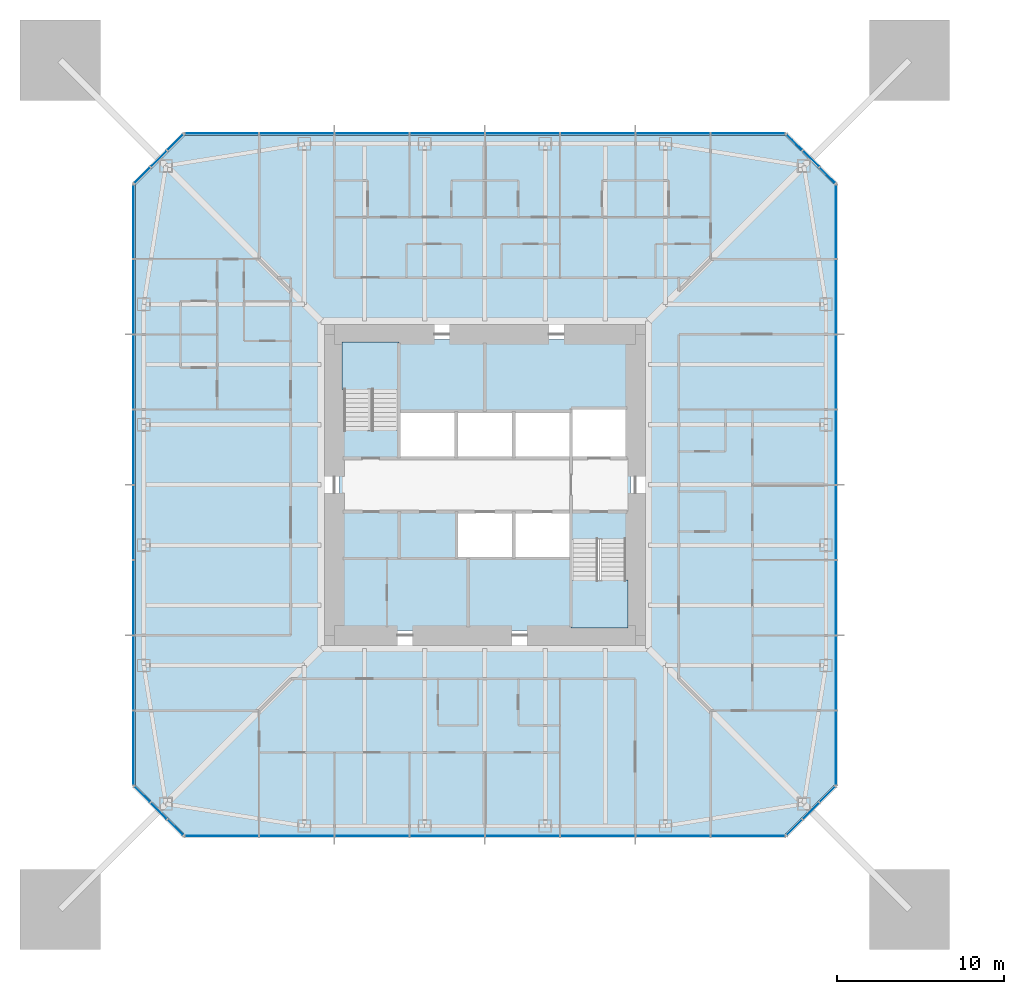
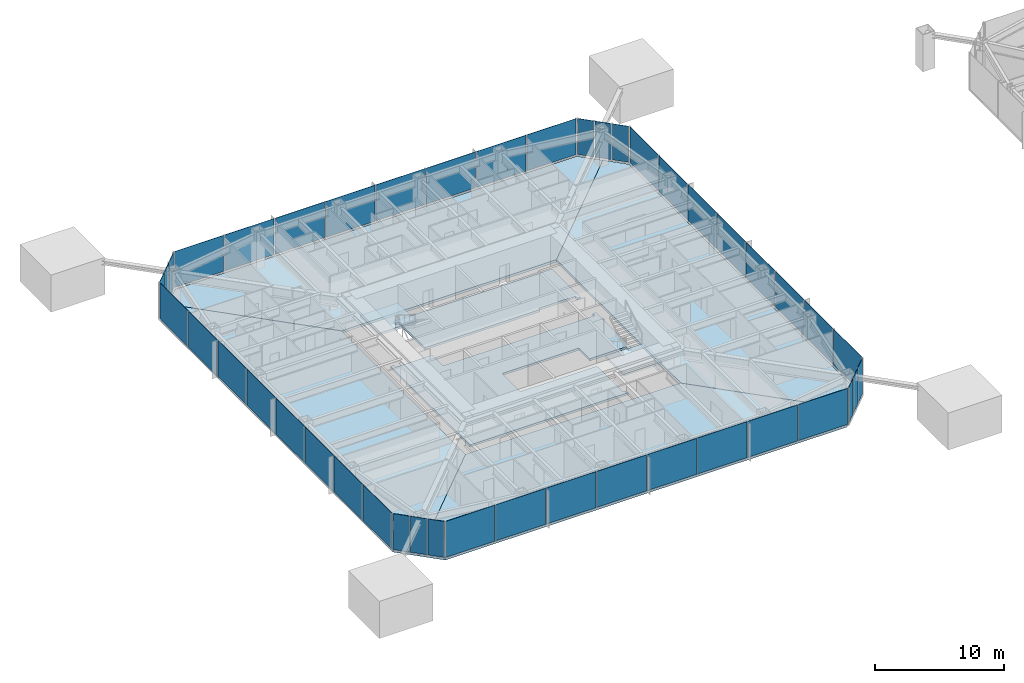
# One storey, part 11 of 25: 44 plates, 8 slabs, 10 elements without a shape of their own.
"""IFC4 building model written with IfcOpenShell, lengths in metres."""

from ifc_helpers import new_model, si_unit, direction, frame, origin, origin_2d, place, context, subcontext, project, spatial, polyline, rectangle, outline, extrude, material, layer, layer_set, constituent, constituent_set, type_object, element, aggregate, save


model = new_model("IFC4")

# Units and contexts
model_context = context("Model", 3, precision=1e-05, world=origin(), true_north=direction((0.0, 1.0)))
body_context = subcontext(model_context, "Body", "Model", "MODEL_VIEW")
ifc_project = project(units=[si_unit("LENGTHUNIT", "METRE"), si_unit("AREAUNIT", "SQUARE_METRE"), si_unit("VOLUMEUNIT", "CUBIC_METRE"), si_unit("PLANEANGLEUNIT", "RADIAN"), si_unit("MASSUNIT", "GRAM", prefix="KILO")], contexts=[model_context])

# Site, building, storey
site_placement = place(None, origin())
site = spatial("IfcSite", under=ifc_project, at=site_placement, CompositionType="ELEMENT")
building_placement = place(site_placement, origin())
building = spatial("IfcBuilding", under=site, at=building_placement, Name="Iwan Alto Co-Living Towers", CompositionType="ELEMENT")
storey_placement = place(building_placement, frame((0.0, 0.0, 119.0)))
storey = spatial("IfcBuildingStorey", under=building, at=storey_placement, Name="L32", CompositionType="ELEMENT", Elevation=119.0)

# Slabs
ifc_material_1 = material(Name="Concrete f'c 30 MPa", Category="concrete")
ifc_layer_1 = layer(ifc_material_1, 0.199951171875)
ifc_layer_set_1 = layer_set([ifc_layer_1], Name="CORE FLOOR SLAB 200")
slab_type_1 = type_object("IfcSlabType", Name="CORE FLOOR SLAB 200", PredefinedType="FLOOR", material=ifc_layer_set_1)
slab_1_placement = place(storey_placement, frame((0.0, 0.0, -0.199951171875)))
element("IfcSlab", 1, at=slab_1_placement, inside=storey, type_object=slab_type_1, Name="T1 core floor L32", PredefinedType="FLOOR", context=body_context, shape_type="SweptSolid", body=[
    extrude(outline(polyline([(5.14990234375, -1.60009765625), (1.72509765625, -1.60009765625), (-1.699951171875, -1.60009765625), (-1.699951171875, -4.39990234375), (1.72509765625, -4.39990234375), (5.14990234375, -4.39990234375), (5.14990234375, -8.39990234375), (5.4599609375, -8.39990234375), (5.4599609375, -8.699951171875), (-8.699951171875, -8.699951171875), (-8.699951171875, 3.580078125), (-8.39990234375, 3.580078125), (-8.39990234375, 3.27001953125), (-5.14990234375, 3.27001953125), (-5.14990234375, 1.60009765625), (-1.717041015625, 1.60009765625), (1.717041015625, 1.60009765625), (5.14990234375, 1.60009765625), (8.39990234375, 1.60009765625), (8.39990234375, 1.909912109375), (8.699951171875, 1.909912109375), (8.699951171875, -3.580078125), (8.39990234375, -3.580078125), (8.39990234375, -3.27001953125), (5.14990234375, -3.27001953125), (5.14990234375, -1.60009765625)])), origin(), (0.0, 0.0, 1.0), 0.199951171875),
])
slab_2_placement = place(storey_placement, frame((0.0, 0.0, -0.199951171875)))
element("IfcSlab", 2, at=slab_2_placement, inside=storey, type_object=slab_type_1, Name="T1 core floor L32", PredefinedType="FLOOR", context=body_context, shape_type="SweptSolid", body=[
    extrude(outline(polyline([(1.717041015625, 4.39990234375), (-1.717041015625, 4.39990234375), (-5.14990234375, 4.39990234375), (-5.14990234375, 8.39990234375), (-5.4599609375, 8.39990234375), (-5.4599609375, 8.699951171875), (8.699951171875, 8.699951171875), (8.699951171875, 4.2900390625), (8.39990234375, 4.2900390625), (8.39990234375, 4.60009765625), (5.14990234375, 4.60009765625), (5.14990234375, 4.39990234375), (1.717041015625, 4.39990234375)])), origin(), (0.0, 0.0, 1.0), 0.199951171875),
])

# Curtain wall, plates
ifc_material_2 = material(Name="Bronze aluminium unitised frame", Category="aluminium")
curtain_wall_type_1 = type_object("IfcCurtainWallType", Name="CURTAIN WALL CW-A", PredefinedType="NOTDEFINED", material=ifc_material_2)
curtain_wall_1_placement = place(storey_placement, origin())
curtain_wall_1 = element("IfcCurtainWall", 3, at=curtain_wall_1_placement, inside=storey, type_object=curtain_wall_type_1, Name="T1 curtain wall S L32", PredefinedType="NOTDEFINED")
ifc_material_3 = material(Name="Bronze-tinted insulating glass", Category="glass")
ifc_layer_2 = layer(ifc_material_3, 0.031982421875)
ifc_layer_set_2 = layer_set([ifc_layer_2], Name="CW-A PANEL TINTED IGU 32")
plate_type_1 = type_object("IfcPlateType", Name="CW-A PANEL TINTED IGU 32", PredefinedType="CURTAIN_PANEL", material=ifc_layer_set_2)
plate_1_placement = place(storey_placement, frame((-15.72998046875, -21.0, 0.10009765625), z_axis=(0.0, 0.0, 1.0), x_axis=(1.0, 0.0, 0.0)))
plate_1 = element("IfcPlate", 4, at=plate_1_placement, type_object=plate_type_1, Name="CW-A panel 1.1", PredefinedType="CURTAIN_PANEL", context=body_context, shape_type="SweptSolid", body=[
    extrude(rectangle(XDim=4.3798828125, YDim=0.031982421875, at=origin_2d()), origin(), (0.0, 0.0, 1.0), 3.39990234375),
])
plate_2_placement = place(storey_placement, frame((-11.25, -21.0, 0.10009765625), z_axis=(0.0, 0.0, 1.0), x_axis=(1.0, 0.0, 0.0)))
plate_2 = element("IfcPlate", 5, at=plate_2_placement, type_object=plate_type_1, Name="CW-A panel 2.1", PredefinedType="CURTAIN_PANEL", context=body_context, shape_type="SweptSolid", body=[
    extrude(rectangle(XDim=4.419921875, YDim=0.031982421875, at=origin_2d()), origin(), (0.0, 0.0, 1.0), 3.39990234375),
])
plate_3_placement = place(storey_placement, frame((-6.75, -21.0, 0.10009765625), z_axis=(0.0, 0.0, 1.0), x_axis=(1.0, 0.0, 0.0)))
plate_3 = element("IfcPlate", 6, at=plate_3_placement, type_object=plate_type_1, Name="CW-A panel 3.1", PredefinedType="CURTAIN_PANEL", context=body_context, shape_type="SweptSolid", body=[
    extrude(rectangle(XDim=4.419921875, YDim=0.031982421875, at=origin_2d()), origin(), (0.0, 0.0, 1.0), 3.39990234375),
])
plate_4_placement = place(storey_placement, frame((-2.25, -21.0, 0.10009765625), z_axis=(0.0, 0.0, 1.0), x_axis=(1.0, 0.0, 0.0)))
plate_4 = element("IfcPlate", 7, at=plate_4_placement, type_object=plate_type_1, Name="CW-A panel 4.1", PredefinedType="CURTAIN_PANEL", context=body_context, shape_type="SweptSolid", body=[
    extrude(rectangle(XDim=4.419921875, YDim=0.031982421875, at=origin_2d()), origin(), (0.0, 0.0, 1.0), 3.39990234375),
])
plate_5_placement = place(storey_placement, frame((2.25, -21.0, 0.10009765625), z_axis=(0.0, 0.0, 1.0), x_axis=(1.0, 0.0, 0.0)))
plate_5 = element("IfcPlate", 8, at=plate_5_placement, type_object=plate_type_1, Name="CW-A panel 5.1", PredefinedType="CURTAIN_PANEL", context=body_context, shape_type="SweptSolid", body=[
    extrude(rectangle(XDim=4.419921875, YDim=0.031982421875, at=origin_2d()), origin(), (0.0, 0.0, 1.0), 3.39990234375),
])
plate_6_placement = place(storey_placement, frame((6.75, -21.0, 0.10009765625), z_axis=(0.0, 0.0, 1.0), x_axis=(1.0, 0.0, 0.0)))
plate_6 = element("IfcPlate", 9, at=plate_6_placement, type_object=plate_type_1, Name="CW-A panel 6.1", PredefinedType="CURTAIN_PANEL", context=body_context, shape_type="SweptSolid", body=[
    extrude(rectangle(XDim=4.419921875, YDim=0.031982421875, at=origin_2d()), origin(), (0.0, 0.0, 1.0), 3.39990234375),
])
plate_7_placement = place(storey_placement, frame((11.25, -21.0, 0.10009765625), z_axis=(0.0, 0.0, 1.0), x_axis=(1.0, 0.0, 0.0)))
plate_7 = element("IfcPlate", 10, at=plate_7_placement, type_object=plate_type_1, Name="CW-A panel 7.1", PredefinedType="CURTAIN_PANEL", context=body_context, shape_type="SweptSolid", body=[
    extrude(rectangle(XDim=4.419921875, YDim=0.031982421875, at=origin_2d()), origin(), (0.0, 0.0, 1.0), 3.39990234375),
])
plate_8_placement = place(storey_placement, frame((15.72998046875, -21.0, 0.10009765625), z_axis=(0.0, 0.0, 1.0), x_axis=(1.0, 0.0, 0.0)))
plate_8 = element("IfcPlate", 11, at=plate_8_placement, type_object=plate_type_1, Name="CW-A panel 8.1", PredefinedType="CURTAIN_PANEL", context=body_context, shape_type="SweptSolid", body=[
    extrude(rectangle(XDim=4.3798828125, YDim=0.031982421875, at=origin_2d()), origin(), (0.0, 0.0, 1.0), 3.39990234375),
])
aggregate(curtain_wall_1, [plate_1, plate_2, plate_3, plate_4, plate_5, plate_6, plate_7, plate_8])

curtain_wall_2_placement = place(storey_placement, origin())
curtain_wall_2 = element("IfcCurtainWall", 12, at=curtain_wall_2_placement, inside=storey, type_object=curtain_wall_type_1, Name="T1 curtain wall E L32", PredefinedType="NOTDEFINED")
plate_9_placement = place(storey_placement, frame((21.0, -15.72998046875, 0.10009765625), z_axis=(0.0, 0.0, 1.0), x_axis=(0.0, 1.0, 0.0)))
plate_9 = element("IfcPlate", 13, at=plate_9_placement, type_object=plate_type_1, Name="CW-A panel 1.1", PredefinedType="CURTAIN_PANEL", context=body_context, shape_type="SweptSolid", body=[
    extrude(rectangle(XDim=4.3798828125, YDim=0.031982421875, at=origin_2d()), origin(), (0.0, 0.0, 1.0), 3.39990234375),
])
plate_10_placement = place(storey_placement, frame((21.0, -11.25, 0.10009765625), z_axis=(0.0, 0.0, 1.0), x_axis=(0.0, 1.0, 0.0)))
plate_10 = element("IfcPlate", 14, at=plate_10_placement, type_object=plate_type_1, Name="CW-A panel 2.1", PredefinedType="CURTAIN_PANEL", context=body_context, shape_type="SweptSolid", body=[
    extrude(rectangle(XDim=4.419921875, YDim=0.031982421875, at=origin_2d()), origin(), (0.0, 0.0, 1.0), 3.39990234375),
])
plate_11_placement = place(storey_placement, frame((21.0, -6.75, 0.10009765625), z_axis=(0.0, 0.0, 1.0), x_axis=(0.0, 1.0, 0.0)))
plate_11 = element("IfcPlate", 15, at=plate_11_placement, type_object=plate_type_1, Name="CW-A panel 3.1", PredefinedType="CURTAIN_PANEL", context=body_context, shape_type="SweptSolid", body=[
    extrude(rectangle(XDim=4.419921875, YDim=0.031982421875, at=origin_2d()), origin(), (0.0, 0.0, 1.0), 3.39990234375),
])
plate_12_placement = place(storey_placement, frame((21.0, -2.25, 0.10009765625), z_axis=(0.0, 0.0, 1.0), x_axis=(0.0, 1.0, 0.0)))
plate_12 = element("IfcPlate", 16, at=plate_12_placement, type_object=plate_type_1, Name="CW-A panel 4.1", PredefinedType="CURTAIN_PANEL", context=body_context, shape_type="SweptSolid", body=[
    extrude(rectangle(XDim=4.419921875, YDim=0.031982421875, at=origin_2d()), origin(), (0.0, 0.0, 1.0), 3.39990234375),
])
plate_13_placement = place(storey_placement, frame((21.0, 2.25, 0.10009765625), z_axis=(0.0, 0.0, 1.0), x_axis=(0.0, 1.0, 0.0)))
plate_13 = element("IfcPlate", 17, at=plate_13_placement, type_object=plate_type_1, Name="CW-A panel 5.1", PredefinedType="CURTAIN_PANEL", context=body_context, shape_type="SweptSolid", body=[
    extrude(rectangle(XDim=4.419921875, YDim=0.031982421875, at=origin_2d()), origin(), (0.0, 0.0, 1.0), 3.39990234375),
])
plate_14_placement = place(storey_placement, frame((21.0, 6.75, 0.10009765625), z_axis=(0.0, 0.0, 1.0), x_axis=(0.0, 1.0, 0.0)))
plate_14 = element("IfcPlate", 18, at=plate_14_placement, type_object=plate_type_1, Name="CW-A panel 6.1", PredefinedType="CURTAIN_PANEL", context=body_context, shape_type="SweptSolid", body=[
    extrude(rectangle(XDim=4.419921875, YDim=0.031982421875, at=origin_2d()), origin(), (0.0, 0.0, 1.0), 3.39990234375),
])
plate_15_placement = place(storey_placement, frame((21.0, 11.25, 0.10009765625), z_axis=(0.0, 0.0, 1.0), x_axis=(0.0, 1.0, 0.0)))
plate_15 = element("IfcPlate", 19, at=plate_15_placement, type_object=plate_type_1, Name="CW-A panel 7.1", PredefinedType="CURTAIN_PANEL", context=body_context, shape_type="SweptSolid", body=[
    extrude(rectangle(XDim=4.419921875, YDim=0.031982421875, at=origin_2d()), origin(), (0.0, 0.0, 1.0), 3.39990234375),
])
plate_16_placement = place(storey_placement, frame((21.0, 15.72998046875, 0.10009765625), z_axis=(0.0, 0.0, 1.0), x_axis=(0.0, 1.0, 0.0)))
plate_16 = element("IfcPlate", 20, at=plate_16_placement, type_object=plate_type_1, Name="CW-A panel 8.1", PredefinedType="CURTAIN_PANEL", context=body_context, shape_type="SweptSolid", body=[
    extrude(rectangle(XDim=4.3798828125, YDim=0.031982421875, at=origin_2d()), origin(), (0.0, 0.0, 1.0), 3.39990234375),
])
aggregate(curtain_wall_2, [plate_9, plate_10, plate_11, plate_12, plate_13, plate_14, plate_15, plate_16])

curtain_wall_3_placement = place(storey_placement, origin())
curtain_wall_3 = element("IfcCurtainWall", 21, at=curtain_wall_3_placement, inside=storey, type_object=curtain_wall_type_1, Name="T1 curtain wall N L32", PredefinedType="NOTDEFINED")
plate_17_placement = place(storey_placement, frame((15.72998046875, 21.0, 0.10009765625), z_axis=(0.0, 0.0, 1.0), x_axis=(-1.0, 0.0, 0.0)))
plate_17 = element("IfcPlate", 22, at=plate_17_placement, type_object=plate_type_1, Name="CW-A panel 1.1", PredefinedType="CURTAIN_PANEL", context=body_context, shape_type="SweptSolid", body=[
    extrude(rectangle(XDim=4.3798828125, YDim=0.031982421875, at=origin_2d()), origin(), (0.0, 0.0, 1.0), 3.39990234375),
])
plate_18_placement = place(storey_placement, frame((11.25, 21.0, 0.10009765625), z_axis=(0.0, 0.0, 1.0), x_axis=(-1.0, 0.0, 0.0)))
plate_18 = element("IfcPlate", 23, at=plate_18_placement, type_object=plate_type_1, Name="CW-A panel 2.1", PredefinedType="CURTAIN_PANEL", context=body_context, shape_type="SweptSolid", body=[
    extrude(rectangle(XDim=4.419921875, YDim=0.031982421875, at=origin_2d()), origin(), (0.0, 0.0, 1.0), 3.39990234375),
])
plate_19_placement = place(storey_placement, frame((6.75, 21.0, 0.10009765625), z_axis=(0.0, 0.0, 1.0), x_axis=(-1.0, 0.0, 0.0)))
plate_19 = element("IfcPlate", 24, at=plate_19_placement, type_object=plate_type_1, Name="CW-A panel 3.1", PredefinedType="CURTAIN_PANEL", context=body_context, shape_type="SweptSolid", body=[
    extrude(rectangle(XDim=4.419921875, YDim=0.031982421875, at=origin_2d()), origin(), (0.0, 0.0, 1.0), 3.39990234375),
])
plate_20_placement = place(storey_placement, frame((2.25, 21.0, 0.10009765625), z_axis=(0.0, 0.0, 1.0), x_axis=(-1.0, 0.0, 0.0)))
plate_20 = element("IfcPlate", 25, at=plate_20_placement, type_object=plate_type_1, Name="CW-A panel 4.1", PredefinedType="CURTAIN_PANEL", context=body_context, shape_type="SweptSolid", body=[
    extrude(rectangle(XDim=4.419921875, YDim=0.031982421875, at=origin_2d()), origin(), (0.0, 0.0, 1.0), 3.39990234375),
])
plate_21_placement = place(storey_placement, frame((-2.25, 21.0, 0.10009765625), z_axis=(0.0, 0.0, 1.0), x_axis=(-1.0, 0.0, 0.0)))
plate_21 = element("IfcPlate", 26, at=plate_21_placement, type_object=plate_type_1, Name="CW-A panel 5.1", PredefinedType="CURTAIN_PANEL", context=body_context, shape_type="SweptSolid", body=[
    extrude(rectangle(XDim=4.419921875, YDim=0.031982421875, at=origin_2d()), origin(), (0.0, 0.0, 1.0), 3.39990234375),
])
plate_22_placement = place(storey_placement, frame((-6.75, 21.0, 0.10009765625), z_axis=(0.0, 0.0, 1.0), x_axis=(-1.0, 0.0, 0.0)))
plate_22 = element("IfcPlate", 27, at=plate_22_placement, type_object=plate_type_1, Name="CW-A panel 6.1", PredefinedType="CURTAIN_PANEL", context=body_context, shape_type="SweptSolid", body=[
    extrude(rectangle(XDim=4.419921875, YDim=0.031982421875, at=origin_2d()), origin(), (0.0, 0.0, 1.0), 3.39990234375),
])
plate_23_placement = place(storey_placement, frame((-11.25, 21.0, 0.10009765625), z_axis=(0.0, 0.0, 1.0), x_axis=(-1.0, 0.0, 0.0)))
plate_23 = element("IfcPlate", 28, at=plate_23_placement, type_object=plate_type_1, Name="CW-A panel 7.1", PredefinedType="CURTAIN_PANEL", context=body_context, shape_type="SweptSolid", body=[
    extrude(rectangle(XDim=4.419921875, YDim=0.031982421875, at=origin_2d()), origin(), (0.0, 0.0, 1.0), 3.39990234375),
])
plate_24_placement = place(storey_placement, frame((-15.72998046875, 21.0, 0.10009765625), z_axis=(0.0, 0.0, 1.0), x_axis=(-1.0, 0.0, 0.0)))
plate_24 = element("IfcPlate", 29, at=plate_24_placement, type_object=plate_type_1, Name="CW-A panel 8.1", PredefinedType="CURTAIN_PANEL", context=body_context, shape_type="SweptSolid", body=[
    extrude(rectangle(XDim=4.3798828125, YDim=0.031982421875, at=origin_2d()), origin(), (0.0, 0.0, 1.0), 3.39990234375),
])
aggregate(curtain_wall_3, [plate_17, plate_18, plate_19, plate_20, plate_21, plate_22, plate_23, plate_24])

curtain_wall_4_placement = place(storey_placement, origin())
curtain_wall_4 = element("IfcCurtainWall", 30, at=curtain_wall_4_placement, inside=storey, type_object=curtain_wall_type_1, Name="T1 curtain wall W L32", PredefinedType="NOTDEFINED")
plate_25_placement = place(storey_placement, frame((-21.0, 15.72998046875, 0.10009765625), z_axis=(0.0, 0.0, 1.0), x_axis=(0.0, -1.0, 0.0)))
plate_25 = element("IfcPlate", 31, at=plate_25_placement, type_object=plate_type_1, Name="CW-A panel 1.1", PredefinedType="CURTAIN_PANEL", context=body_context, shape_type="SweptSolid", body=[
    extrude(rectangle(XDim=4.3798828125, YDim=0.031982421875, at=origin_2d()), origin(), (0.0, 0.0, 1.0), 3.39990234375),
])
plate_26_placement = place(storey_placement, frame((-21.0, 11.25, 0.10009765625), z_axis=(0.0, 0.0, 1.0), x_axis=(0.0, -1.0, 0.0)))
plate_26 = element("IfcPlate", 32, at=plate_26_placement, type_object=plate_type_1, Name="CW-A panel 2.1", PredefinedType="CURTAIN_PANEL", context=body_context, shape_type="SweptSolid", body=[
    extrude(rectangle(XDim=4.419921875, YDim=0.031982421875, at=origin_2d()), origin(), (0.0, 0.0, 1.0), 3.39990234375),
])
plate_27_placement = place(storey_placement, frame((-21.0, 6.75, 0.10009765625), z_axis=(0.0, 0.0, 1.0), x_axis=(0.0, -1.0, 0.0)))
plate_27 = element("IfcPlate", 33, at=plate_27_placement, type_object=plate_type_1, Name="CW-A panel 3.1", PredefinedType="CURTAIN_PANEL", context=body_context, shape_type="SweptSolid", body=[
    extrude(rectangle(XDim=4.419921875, YDim=0.031982421875, at=origin_2d()), origin(), (0.0, 0.0, 1.0), 3.39990234375),
])
plate_28_placement = place(storey_placement, frame((-21.0, 2.25, 0.10009765625), z_axis=(0.0, 0.0, 1.0), x_axis=(0.0, -1.0, 0.0)))
plate_28 = element("IfcPlate", 34, at=plate_28_placement, type_object=plate_type_1, Name="CW-A panel 4.1", PredefinedType="CURTAIN_PANEL", context=body_context, shape_type="SweptSolid", body=[
    extrude(rectangle(XDim=4.419921875, YDim=0.031982421875, at=origin_2d()), origin(), (0.0, 0.0, 1.0), 3.39990234375),
])
plate_29_placement = place(storey_placement, frame((-21.0, -2.25, 0.10009765625), z_axis=(0.0, 0.0, 1.0), x_axis=(0.0, -1.0, 0.0)))
plate_29 = element("IfcPlate", 35, at=plate_29_placement, type_object=plate_type_1, Name="CW-A panel 5.1", PredefinedType="CURTAIN_PANEL", context=body_context, shape_type="SweptSolid", body=[
    extrude(rectangle(XDim=4.419921875, YDim=0.031982421875, at=origin_2d()), origin(), (0.0, 0.0, 1.0), 3.39990234375),
])
plate_30_placement = place(storey_placement, frame((-21.0, -6.75, 0.10009765625), z_axis=(0.0, 0.0, 1.0), x_axis=(0.0, -1.0, 0.0)))
plate_30 = element("IfcPlate", 36, at=plate_30_placement, type_object=plate_type_1, Name="CW-A panel 6.1", PredefinedType="CURTAIN_PANEL", context=body_context, shape_type="SweptSolid", body=[
    extrude(rectangle(XDim=4.419921875, YDim=0.031982421875, at=origin_2d()), origin(), (0.0, 0.0, 1.0), 3.39990234375),
])
plate_31_placement = place(storey_placement, frame((-21.0, -11.25, 0.10009765625), z_axis=(0.0, 0.0, 1.0), x_axis=(0.0, -1.0, 0.0)))
plate_31 = element("IfcPlate", 37, at=plate_31_placement, type_object=plate_type_1, Name="CW-A panel 7.1", PredefinedType="CURTAIN_PANEL", context=body_context, shape_type="SweptSolid", body=[
    extrude(rectangle(XDim=4.419921875, YDim=0.031982421875, at=origin_2d()), origin(), (0.0, 0.0, 1.0), 3.39990234375),
])
plate_32_placement = place(storey_placement, frame((-21.0, -15.72998046875, 0.10009765625), z_axis=(0.0, 0.0, 1.0), x_axis=(0.0, -1.0, 0.0)))
plate_32 = element("IfcPlate", 38, at=plate_32_placement, type_object=plate_type_1, Name="CW-A panel 8.1", PredefinedType="CURTAIN_PANEL", context=body_context, shape_type="SweptSolid", body=[
    extrude(rectangle(XDim=4.3798828125, YDim=0.031982421875, at=origin_2d()), origin(), (0.0, 0.0, 1.0), 3.39990234375),
])
aggregate(curtain_wall_4, [plate_25, plate_26, plate_27, plate_28, plate_29, plate_30, plate_31, plate_32])

ifc_material_4 = material(Name="Bronze aluminium unitised frame", Category="aluminium")
curtain_wall_type_2 = type_object("IfcCurtainWallType", Name="CURTAIN WALL CW-B", PredefinedType="NOTDEFINED", material=ifc_material_4)
curtain_wall_5_placement = place(storey_placement, origin())
curtain_wall_5 = element("IfcCurtainWall", 39, at=curtain_wall_5_placement, inside=storey, type_object=curtain_wall_type_2, Name="T1 chamfer curtain wall SE L32", PredefinedType="NOTDEFINED")
ifc_material_5 = material(Name="Bronze-tinted insulating glass", Category="glass")
ifc_layer_3 = layer(ifc_material_5, 0.031982421875)
ifc_layer_set_3 = layer_set([ifc_layer_3], Name="CW-B PANEL TINTED IGU 32")
plate_type_2 = type_object("IfcPlateType", Name="CW-B PANEL TINTED IGU 32", PredefinedType="CURTAIN_PANEL", material=ifc_layer_set_3)
plate_33_placement = place(storey_placement, frame((18.51416015625, -20.48583984375, 0.10009765625), z_axis=(0.0, 0.0, 1.0), x_axis=(0.707106781187, 0.707106781187, 0.0)))
plate_33 = element("IfcPlate", 40, at=plate_33_placement, type_object=plate_type_2, Name="CW-B panel 1.1", PredefinedType="CURTAIN_PANEL", context=body_context, shape_type="SweptSolid", body=[
    extrude(rectangle(XDim=1.294189453125, YDim=0.031982421875, at=origin_2d()), origin(), (0.0, 0.0, 1.0), 3.39990234375),
])
plate_34_placement = place(storey_placement, frame((19.5, -19.5, 0.10009765625), z_axis=(0.0, 0.0, 1.0), x_axis=(0.707106781187, 0.707106781187, 0.0)))
plate_34 = element("IfcPlate", 41, at=plate_34_placement, type_object=plate_type_2, Name="CW-B panel 2.1", PredefinedType="CURTAIN_PANEL", context=body_context, shape_type="SweptSolid", body=[
    extrude(rectangle(XDim=1.334228515625, YDim=0.031982421875, at=origin_2d()), origin(), (0.0, 0.0, 1.0), 3.39990234375),
])
plate_35_placement = place(storey_placement, frame((20.48583984375, -18.51416015625, 0.10009765625), z_axis=(0.0, 0.0, 1.0), x_axis=(0.707106781187, 0.707106781187, 0.0)))
plate_35 = element("IfcPlate", 42, at=plate_35_placement, type_object=plate_type_2, Name="CW-B panel 3.1", PredefinedType="CURTAIN_PANEL", context=body_context, shape_type="SweptSolid", body=[
    extrude(rectangle(XDim=1.294189453125, YDim=0.031982421875, at=origin_2d()), origin(), (0.0, 0.0, 1.0), 3.39990234375),
])
aggregate(curtain_wall_5, [plate_33, plate_34, plate_35])

curtain_wall_6_placement = place(storey_placement, origin())
curtain_wall_6 = element("IfcCurtainWall", 43, at=curtain_wall_6_placement, inside=storey, type_object=curtain_wall_type_2, Name="T1 chamfer curtain wall NE L32", PredefinedType="NOTDEFINED")
plate_36_placement = place(storey_placement, frame((20.48583984375, 18.51416015625, 0.10009765625), z_axis=(0.0, 0.0, 1.0), x_axis=(-0.707106781187, 0.707106781187, 0.0)))
plate_36 = element("IfcPlate", 44, at=plate_36_placement, type_object=plate_type_2, Name="CW-B panel 1.1", PredefinedType="CURTAIN_PANEL", context=body_context, shape_type="SweptSolid", body=[
    extrude(rectangle(XDim=1.294189453125, YDim=0.031982421875, at=origin_2d()), origin(), (0.0, 0.0, 1.0), 3.39990234375),
])
plate_37_placement = place(storey_placement, frame((19.5, 19.5, 0.10009765625), z_axis=(0.0, 0.0, 1.0), x_axis=(-0.707106781187, 0.707106781187, 0.0)))
plate_37 = element("IfcPlate", 45, at=plate_37_placement, type_object=plate_type_2, Name="CW-B panel 2.1", PredefinedType="CURTAIN_PANEL", context=body_context, shape_type="SweptSolid", body=[
    extrude(rectangle(XDim=1.334228515625, YDim=0.031982421875, at=origin_2d()), origin(), (0.0, 0.0, 1.0), 3.39990234375),
])
plate_38_placement = place(storey_placement, frame((18.51416015625, 20.48583984375, 0.10009765625), z_axis=(0.0, 0.0, 1.0), x_axis=(-0.707106781187, 0.707106781187, 0.0)))
plate_38 = element("IfcPlate", 46, at=plate_38_placement, type_object=plate_type_2, Name="CW-B panel 3.1", PredefinedType="CURTAIN_PANEL", context=body_context, shape_type="SweptSolid", body=[
    extrude(rectangle(XDim=1.294189453125, YDim=0.031982421875, at=origin_2d()), origin(), (0.0, 0.0, 1.0), 3.39990234375),
])
aggregate(curtain_wall_6, [plate_36, plate_37, plate_38])

curtain_wall_7_placement = place(storey_placement, origin())
curtain_wall_7 = element("IfcCurtainWall", 47, at=curtain_wall_7_placement, inside=storey, type_object=curtain_wall_type_2, Name="T1 chamfer curtain wall NW L32", PredefinedType="NOTDEFINED")
plate_39_placement = place(storey_placement, frame((-18.51416015625, 20.48583984375, 0.10009765625), z_axis=(0.0, 0.0, 1.0), x_axis=(-0.707106781187, -0.707106781187, 0.0)))
plate_39 = element("IfcPlate", 48, at=plate_39_placement, type_object=plate_type_2, Name="CW-B panel 1.1", PredefinedType="CURTAIN_PANEL", context=body_context, shape_type="SweptSolid", body=[
    extrude(rectangle(XDim=1.294189453125, YDim=0.031982421875, at=origin_2d()), origin(), (0.0, 0.0, 1.0), 3.39990234375),
])
plate_40_placement = place(storey_placement, frame((-19.5, 19.5, 0.10009765625), z_axis=(0.0, 0.0, 1.0), x_axis=(-0.707106781187, -0.707106781187, 0.0)))
plate_40 = element("IfcPlate", 49, at=plate_40_placement, type_object=plate_type_2, Name="CW-B panel 2.1", PredefinedType="CURTAIN_PANEL", context=body_context, shape_type="SweptSolid", body=[
    extrude(rectangle(XDim=1.334228515625, YDim=0.031982421875, at=origin_2d()), origin(), (0.0, 0.0, 1.0), 3.39990234375),
])
plate_41_placement = place(storey_placement, frame((-20.48583984375, 18.51416015625, 0.10009765625), z_axis=(0.0, 0.0, 1.0), x_axis=(-0.707106781187, -0.707106781187, 0.0)))
plate_41 = element("IfcPlate", 50, at=plate_41_placement, type_object=plate_type_2, Name="CW-B panel 3.1", PredefinedType="CURTAIN_PANEL", context=body_context, shape_type="SweptSolid", body=[
    extrude(rectangle(XDim=1.294189453125, YDim=0.031982421875, at=origin_2d()), origin(), (0.0, 0.0, 1.0), 3.39990234375),
])
aggregate(curtain_wall_7, [plate_39, plate_40, plate_41])

curtain_wall_8_placement = place(storey_placement, origin())
curtain_wall_8 = element("IfcCurtainWall", 51, at=curtain_wall_8_placement, inside=storey, type_object=curtain_wall_type_2, Name="T1 chamfer curtain wall SW L32", PredefinedType="NOTDEFINED")
plate_42_placement = place(storey_placement, frame((-20.48583984375, -18.51416015625, 0.10009765625), z_axis=(0.0, 0.0, 1.0), x_axis=(0.707106781187, -0.707106781187, 0.0)))
plate_42 = element("IfcPlate", 52, at=plate_42_placement, type_object=plate_type_2, Name="CW-B panel 1.1", PredefinedType="CURTAIN_PANEL", context=body_context, shape_type="SweptSolid", body=[
    extrude(rectangle(XDim=1.294189453125, YDim=0.031982421875, at=origin_2d()), origin(), (0.0, 0.0, 1.0), 3.39990234375),
])
plate_43_placement = place(storey_placement, frame((-19.5, -19.5, 0.10009765625), z_axis=(0.0, 0.0, 1.0), x_axis=(0.707106781187, -0.707106781187, 0.0)))
plate_43 = element("IfcPlate", 53, at=plate_43_placement, type_object=plate_type_2, Name="CW-B panel 2.1", PredefinedType="CURTAIN_PANEL", context=body_context, shape_type="SweptSolid", body=[
    extrude(rectangle(XDim=1.334228515625, YDim=0.031982421875, at=origin_2d()), origin(), (0.0, 0.0, 1.0), 3.39990234375),
])
plate_44_placement = place(storey_placement, frame((-18.51416015625, -20.48583984375, 0.10009765625), z_axis=(0.0, 0.0, 1.0), x_axis=(0.707106781187, -0.707106781187, 0.0)))
plate_44 = element("IfcPlate", 54, at=plate_44_placement, type_object=plate_type_2, Name="CW-B panel 3.1", PredefinedType="CURTAIN_PANEL", context=body_context, shape_type="SweptSolid", body=[
    extrude(rectangle(XDim=1.294189453125, YDim=0.031982421875, at=origin_2d()), origin(), (0.0, 0.0, 1.0), 3.39990234375),
])
aggregate(curtain_wall_8, [plate_42, plate_43, plate_44])

# Stair, slab
ifc_material_6 = material(Name="Steel ASTM A36", Category="steel")
ifc_constituent_1 = constituent(ifc_material_6, Name="Stringers", Category="LoadBearing")
ifc_material_7 = material(Name="Concrete f'c 30 MPa", Category="concrete")
ifc_constituent_2 = constituent(ifc_material_7, Name="Tread fill", Category="Finish")
ifc_constituent_set = constituent_set(constituents=[ifc_constituent_1, ifc_constituent_2], Name="STAIR 3500 TWO-FLIGHT T1 CORE")
stair_type = type_object("IfcStairType", Name="STAIR 3500 TWO-FLIGHT T1 CORE", PredefinedType="HALF_TURN_STAIR", material=ifc_constituent_set)
stair_1_placement = place(storey_placement, origin())
stair_1 = element("IfcStair", 55, at=stair_1_placement, inside=storey, type_object=stair_type, Name="Stair T1-S1 L32 to L33", PredefinedType="HALF_TURN_STAIR")
ifc_material_8 = material(Name="Concrete f'c 30 MPa", Category="concrete")
ifc_layer_4 = layer(ifc_material_8, 0.199951171875)
ifc_layer_set_4 = layer_set([ifc_layer_4], Name="STAIR LANDING 200")
slab_type_2 = type_object("IfcSlabType", Name="STAIR LANDING 200", PredefinedType="LANDING", material=ifc_layer_set_4)
slab_3_placement = place(storey_placement, frame((0.0, 0.0, 1.550048828125)))
slab_3 = element("IfcSlab", 56, at=slab_3_placement, type_object=slab_type_2, Name="T1-S1 landing 1", PredefinedType="LANDING", context=body_context, shape_type="SweptSolid", body=[
    extrude(outline(polyline([(-8.550048828125, 5.68994140625), (-8.550048828125, 8.550048828125), (-5.14990234375, 8.550048828125), (-5.14990234375, 5.68994140625), (-8.550048828125, 5.68994140625)])), origin(), (0.0, 0.0, 1.0), 0.199951171875),
])
aggregate(stair_1, [slab_3])

stair_2_placement = place(storey_placement, origin())
stair_2 = element("IfcStair", 57, at=stair_2_placement, inside=storey, type_object=stair_type, Name="Stair T1-S2 L32 to L33", PredefinedType="HALF_TURN_STAIR")
slab_4_placement = place(storey_placement, frame((0.0, 0.0, 1.550048828125)))
slab_4 = element("IfcSlab", 58, at=slab_4_placement, type_object=slab_type_2, Name="T1-S2 landing 1", PredefinedType="LANDING", context=body_context, shape_type="SweptSolid", body=[
    extrude(outline(polyline([(5.14990234375, -5.68994140625), (5.14990234375, -8.550048828125), (8.550048828125, -8.550048828125), (8.550048828125, -5.68994140625), (5.14990234375, -5.68994140625)])), origin(), (0.0, 0.0, 1.0), 0.199951171875),
])
aggregate(stair_2, [slab_4])

# Slabs
ifc_material_9 = material(Name="Concrete f'c 30 MPa", Category="concrete")
ifc_layer_5 = layer(ifc_material_9, 0.22998046875)
ifc_layer_set_5 = layer_set([ifc_layer_5], Name="T1 FLOOR SLAB 230")
slab_type_3 = type_object("IfcSlabType", Name="T1 FLOOR SLAB 230", PredefinedType="FLOOR", material=ifc_layer_set_5)
slab_5_placement = place(storey_placement, frame((0.0, 0.0, -0.22998046875)))
element("IfcSlab", 59, at=slab_5_placement, inside=storey, type_object=slab_type_3, Name="T1 floor slab L32 S pour", PredefinedType="FLOOR", context=body_context, shape_type="SweptSolid", body=[
    extrude(outline(polyline([(17.94140625, -20.89990234375), (-17.94140625, -20.89990234375), (-19.420654296875, -19.420654296875), (-9.60009765625, -9.60009765625), (9.60009765625, -9.60009765625), (19.420654296875, -19.420654296875), (17.94140625, -20.89990234375)])), origin(), (0.0, 0.0, 1.0), 0.22998046875),
])
slab_6_placement = place(storey_placement, frame((0.0, 0.0, -0.22998046875)))
element("IfcSlab", 60, at=slab_6_placement, inside=storey, type_object=slab_type_3, Name="T1 floor slab L32 E pour", PredefinedType="FLOOR", context=body_context, shape_type="SweptSolid", body=[
    extrude(outline(polyline([(20.89990234375, 17.94140625), (20.89990234375, -17.94140625), (19.420654296875, -19.420654296875), (9.60009765625, -9.60009765625), (9.60009765625, 9.60009765625), (19.420654296875, 19.420654296875), (20.89990234375, 17.94140625)])), origin(), (0.0, 0.0, 1.0), 0.22998046875),
])
slab_7_placement = place(storey_placement, frame((0.0, 0.0, -0.22998046875)))
element("IfcSlab", 61, at=slab_7_placement, inside=storey, type_object=slab_type_3, Name="T1 floor slab L32 N pour", PredefinedType="FLOOR", context=body_context, shape_type="SweptSolid", body=[
    extrude(outline(polyline([(-17.94140625, 20.89990234375), (17.94140625, 20.89990234375), (19.420654296875, 19.420654296875), (9.60009765625, 9.60009765625), (-9.60009765625, 9.60009765625), (-19.420654296875, 19.420654296875), (-17.94140625, 20.89990234375)])), origin(), (0.0, 0.0, 1.0), 0.22998046875),
])
slab_8_placement = place(storey_placement, frame((0.0, 0.0, -0.22998046875)))
element("IfcSlab", 62, at=slab_8_placement, inside=storey, type_object=slab_type_3, Name="T1 floor slab L32 W pour", PredefinedType="FLOOR", context=body_context, shape_type="SweptSolid", body=[
    extrude(outline(polyline([(-20.89990234375, 17.94140625), (-19.420654296875, 19.420654296875), (-9.60009765625, 9.60009765625), (-9.60009765625, -9.60009765625), (-19.420654296875, -19.420654296875), (-20.89990234375, -17.94140625), (-20.89990234375, 17.94140625)])), origin(), (0.0, 0.0, 1.0), 0.22998046875),
])

save(model, "model.ifc")
